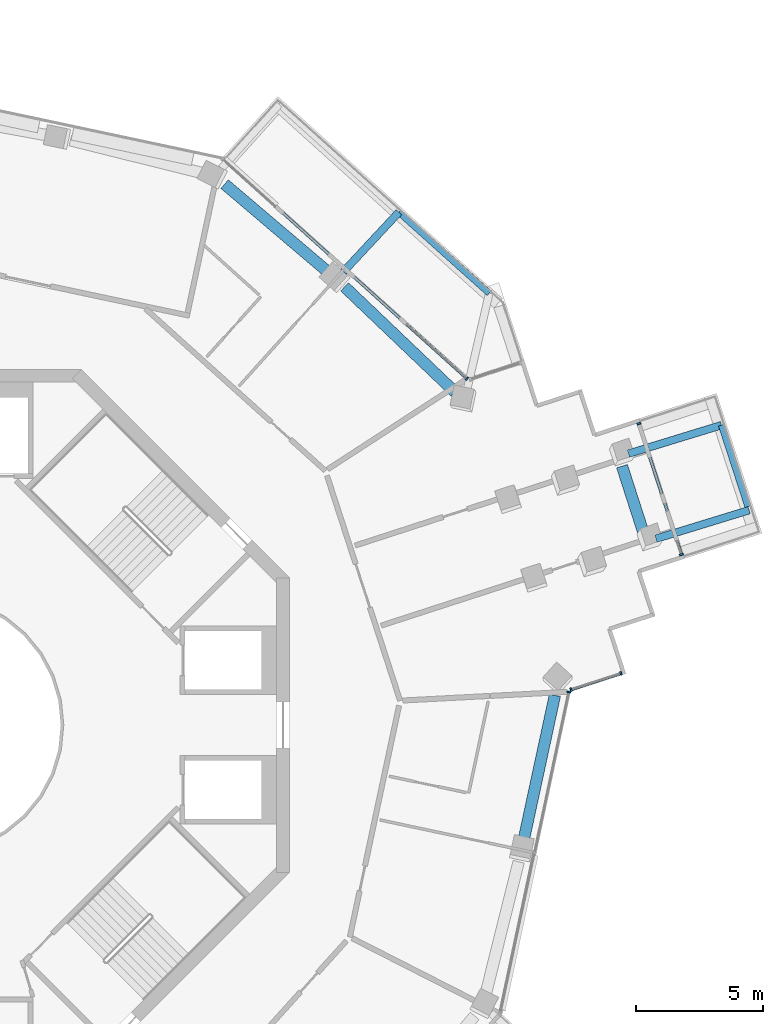
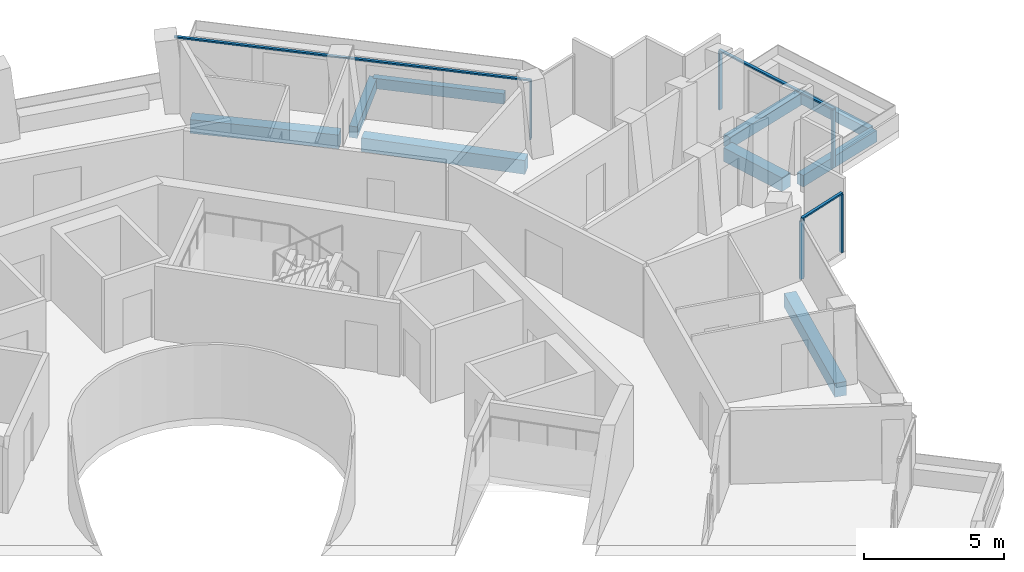
# One storey, part 8 of 22: 9 beams, 9 members, 4 elements without a shape of their own.
"""IFC4 building model written with IfcOpenShell, lengths in metres."""

from ifc_helpers import new_model, si_unit, direction, frame, origin, origin_2d, place, context, subcontext, project, spatial, rectangle, extrude, material, layer, layer_set, material_profile, profile_set, type_object, element, aggregate, save


model = new_model("IFC4")

# Units and contexts
model_context = context("Model", 3, precision=1e-05, world=origin(), true_north=direction((0.0, 1.0)))
body_context = subcontext(model_context, "Body", "Model", "MODEL_VIEW")
ifc_project = project(units=[si_unit("LENGTHUNIT", "METRE"), si_unit("AREAUNIT", "SQUARE_METRE"), si_unit("VOLUMEUNIT", "CUBIC_METRE"), si_unit("PLANEANGLEUNIT", "RADIAN"), si_unit("MASSUNIT", "GRAM", prefix="KILO")], contexts=[model_context])

# Site, building, storey
site_placement = place(None, origin())
site = spatial("IfcSite", under=ifc_project, at=site_placement, CompositionType="ELEMENT")
building_placement = place(site_placement, origin())
building = spatial("IfcBuilding", under=site, at=building_placement, Name="Verdalira Terraces Hotel", CompositionType="ELEMENT")
storey_placement = place(building_placement, frame((0.0, 0.0, 230.5)))
storey = spatial("IfcBuildingStorey", under=building, at=storey_placement, Name="L56", CompositionType="ELEMENT", Elevation=230.5)

# Beams
ifc_material_1 = material(Name="Concrete C40", Category="concrete")
ifc_material_profile_1 = material_profile(ifc_material_1, rectangle(XDim=0.300049, YDim=0.5, at=origin_2d()), Name="RC 300X500")
ifc_profile_set_1 = profile_set([ifc_material_profile_1], Name="Concrete C40")
beam_type_1 = type_object("IfcBeamType", Name="Balcony cantilever beam RC 300X500 C40", PredefinedType="BEAM", material=ifc_profile_set_1)
beam_1_placement = place(storey_placement, frame((28.432617, 7.337158, -0.560059), z_axis=(0.95609889, 0.293044215, 0.0), x_axis=(-0.293044215, 0.95609889, 0.0)))
element("IfcBeam", 1, at=beam_1_placement, inside=storey, type_object=beam_type_1, Name="Balcony cantilever beam R33-1", PredefinedType="BEAM", context=body_context, shape_type="SweptSolid", body=[
    extrude(rectangle(XDim=0.300049, YDim=0.5, at=origin_2d()), origin(), (0.0, 0.0, 1.0), 3.838135),
])
beam_2_placement = place(storey_placement, frame((27.349854, 10.686279, -0.560059), z_axis=(0.9560911, 0.29306963, 0.0), x_axis=(-0.29306963, 0.9560911, 0.0)))
element("IfcBeam", 2, at=beam_2_placement, inside=storey, type_object=beam_type_1, Name="Balcony cantilever beam R33-2", PredefinedType="BEAM", context=body_context, shape_type="SweptSolid", body=[
    extrude(rectangle(XDim=0.300049, YDim=0.5, at=origin_2d()), origin(), (0.0, 0.0, 1.0), 3.832764),
])
beam_3_placement = place(storey_placement, frame((16.128906, 17.850586, -0.560059), z_axis=(0.681488967, 0.731828387, 0.0), x_axis=(-0.731828387, 0.681488967, 0.0)))
element("IfcBeam", 3, at=beam_3_placement, inside=storey, type_object=beam_type_1, Name="Balcony cantilever beam R38-2", PredefinedType="BEAM", context=body_context, shape_type="SweptSolid", body=[
    extrude(rectangle(XDim=0.300049, YDim=0.5, at=origin_2d()), origin(), (0.0, 0.0, 1.0), 3.200928),
])
ifc_material_2 = material(Name="Concrete C40", Category="concrete")
ifc_material_profile_2 = material_profile(ifc_material_2, rectangle(XDim=0.25, YDim=0.449951, at=origin_2d()), Name="RC 250X450")
ifc_profile_set_2 = profile_set([ifc_material_profile_2], Name="Concrete C40")
beam_type_2 = type_object("IfcBeamType", Name="Balcony edge beam RC 250X450 C40", PredefinedType="BEAM", material=ifc_profile_set_2)
beam_4_placement = place(storey_placement, frame((32.055908, 8.604492, -0.534912), z_axis=(-0.309046758, 0.951046845, 0.0), x_axis=(-0.951046845, -0.309046758, 0.0)))
element("IfcBeam", 4, at=beam_4_placement, inside=storey, type_object=beam_type_2, Name="Balcony edge beam R33-1", PredefinedType="BEAM", context=body_context, shape_type="SweptSolid", body=[
    extrude(rectangle(XDim=0.25, YDim=0.449951, at=origin_2d()), origin(), (0.0, 0.0, 1.0), 3.370117),
])
beam_5_placement = place(storey_placement, frame((21.869385, 17.005127, -0.534912), z_axis=(-0.744872368, 0.667206981, 0.0), x_axis=(-0.667206981, -0.744872368, 0.0)))
element("IfcBeam", 5, at=beam_5_placement, inside=storey, type_object=beam_type_2, Name="Balcony edge beam R38-1", PredefinedType="BEAM", context=body_context, shape_type="SweptSolid", body=[
    extrude(rectangle(XDim=0.25, YDim=0.449951, at=origin_2d()), origin(), (0.0, 0.0, 1.0), 4.778076),
])

# Curtain wall, member
ifc_material_3 = material(Name="Clear glass", Category="glass")
ifc_layer_1 = layer(ifc_material_3, 0.14990234375)
ifc_layer_set_1 = layer_set([ifc_layer_1], Name="CW1 curtain wall")
curtain_wall_type_1 = type_object("IfcCurtainWallType", Name="CW1 curtain wall", PredefinedType="NOTDEFINED", material=ifc_layer_set_1)
curtain_wall_1_placement = place(storey_placement, origin())
curtain_wall_1 = element("IfcCurtainWall", 6, at=curtain_wall_1_placement, inside=storey, type_object=curtain_wall_type_1, Name="CW1 curtain wall L56 edge 27", PredefinedType="NOTDEFINED")
ifc_material_4 = material(Name="Terracotta frame", Category="masonry")
ifc_material_profile_3 = material_profile(ifc_material_4, rectangle(XDim=0.060059, YDim=0.149902, at=origin_2d()), Name="MU 60x150")
ifc_profile_set_3 = profile_set([ifc_material_profile_3], Name="Terracotta frame")
member_type_1 = type_object("IfcMemberType", Name="CW1 mullion 60x150", PredefinedType="MULLION", material=ifc_profile_set_3)
member_1_placement = place(storey_placement, frame((25.0, 1.300537, 0.0), z_axis=(0.0, 0.0, 1.0), x_axis=(0.207911691, 0.978147601, 0.0)))
member_1 = element("IfcMember", 7, at=member_1_placement, type_object=member_type_1, Name="CW1 mullion", PredefinedType="MULLION", context=body_context, shape_type="SweptSolid", body=[
    extrude(rectangle(XDim=0.060059, YDim=0.149902, at=origin_2d()), origin(), (0.0, 0.0, 1.0), 2.524902),
])
aggregate(curtain_wall_1, [member_1])

# Curtain wall, members
curtain_wall_2_placement = place(storey_placement, origin())
curtain_wall_2 = element("IfcCurtainWall", 8, at=curtain_wall_2_placement, inside=storey, type_object=curtain_wall_type_1, Name="CW1 curtain wall L56 edge 39", PredefinedType="NOTDEFINED")
member_2_placement = place(storey_placement, frame((20.98999, 13.642334, 0.0), z_axis=(0.0, 0.0, 1.0), x_axis=(-0.743144825, 0.669130606, 0.0)))
member_2 = element("IfcMember", 9, at=member_2_placement, type_object=member_type_1, Name="CW1 mullion", PredefinedType="MULLION", context=body_context, shape_type="SweptSolid", body=[
    extrude(rectangle(XDim=0.060059, YDim=0.149902, at=origin_2d()), origin(), (0.0, 0.0, 1.0), 2.524902),
])
ifc_material_5 = material(Name="Terracotta frame", Category="masonry")
ifc_material_profile_4 = material_profile(ifc_material_5, rectangle(XDim=0.110107, YDim=0.064941, at=origin_2d()), Name="TR 65x110")
ifc_profile_set_4 = profile_set([ifc_material_profile_4], Name="Terracotta frame")
member_type_2 = type_object("IfcMemberType", Name="CW1 transom 65x110", PredefinedType="USERDEFINED", material=ifc_profile_set_4)
member_3_placement = place(storey_placement, frame((21.012207, 13.622314, 2.557617), z_axis=(-0.743143784, 0.669131763, 0.0), x_axis=(-0.669131763, -0.743143784, 0.0)))
member_3 = element("IfcMember", 10, at=member_3_placement, type_object=member_type_2, Name="CW1 transom", ObjectType="TRANSOM", PredefinedType="USERDEFINED", context=body_context, shape_type="SweptSolid", body=[
    extrude(rectangle(XDim=0.110107, YDim=0.064941, at=origin_2d()), origin(), (0.0, 0.0, 1.0), 13.0),
])
aggregate(curtain_wall_2, [member_2, member_3])

ifc_material_6 = material(Name="Clear glass", Category="glass")
ifc_layer_2 = layer(ifc_material_6, 0.14990234375)
ifc_layer_set_2 = layer_set([ifc_layer_2], Name="CW2 curtain wall")
curtain_wall_type_2 = type_object("IfcCurtainWallType", Name="CW2 curtain wall", PredefinedType="NOTDEFINED", material=ifc_layer_set_2)
curtain_wall_3_placement = place(storey_placement, origin())
curtain_wall_3 = element("IfcCurtainWall", 11, at=curtain_wall_3_placement, inside=storey, type_object=curtain_wall_type_2, Name="CW2 curtain wall L56 edge 28", PredefinedType="NOTDEFINED")
ifc_material_7 = material(Name="Terracotta frame", Category="masonry")
ifc_material_profile_5 = material_profile(ifc_material_7, rectangle(XDim=0.070068, YDim=0.149902, at=origin_2d()), Name="MU 70x150")
ifc_profile_set_5 = profile_set([ifc_material_profile_5], Name="Terracotta frame")
member_type_3 = type_object("IfcMemberType", Name="CW2 mullion 70x150", PredefinedType="MULLION", material=ifc_profile_set_5)
member_4_placement = place(storey_placement, frame((25.089844, 1.396484, 0.0), z_axis=(0.0, 0.0, 1.0), x_axis=(0.951056516, 0.309016994, 0.0)))
member_4 = element("IfcMember", 12, at=member_4_placement, type_object=member_type_3, Name="CW2 mullion", PredefinedType="MULLION", context=body_context, shape_type="SweptSolid", body=[
    extrude(rectangle(XDim=0.070068, YDim=0.149902, at=origin_2d()), origin(), (0.0, 0.0, 1.0), 2.524902),
])
member_5_placement = place(storey_placement, frame((27.056152, 2.0354, 0.0), z_axis=(0.0, 0.0, 1.0), x_axis=(0.951056516, 0.309016994, 0.0)))
member_5 = element("IfcMember", 13, at=member_5_placement, type_object=member_type_3, Name="CW2 mullion", PredefinedType="MULLION", context=body_context, shape_type="SweptSolid", body=[
    extrude(rectangle(XDim=0.070068, YDim=0.149902, at=origin_2d()), origin(), (0.0, 0.0, 1.0), 2.524902),
])
ifc_material_8 = material(Name="Terracotta frame", Category="masonry")
ifc_material_profile_6 = material_profile(ifc_material_8, rectangle(XDim=0.11499, YDim=0.064941, at=origin_2d()), Name="TR 65x115")
ifc_profile_set_6 = profile_set([ifc_material_profile_6], Name="Terracotta frame")
member_type_4 = type_object("IfcMemberType", Name="CW2 transom 65x115", PredefinedType="USERDEFINED", material=ifc_profile_set_6)
member_6_placement = place(storey_placement, frame((25.056396, 1.385742, 2.557617), z_axis=(0.951076866, 0.308954356, 0.0), x_axis=(-0.308954356, 0.951076866, 0.0)))
member_6 = element("IfcMember", 14, at=member_6_placement, type_object=member_type_4, Name="CW2 transom", ObjectType="TRANSOM", PredefinedType="USERDEFINED", context=body_context, shape_type="SweptSolid", body=[
    extrude(rectangle(XDim=0.11499, YDim=0.064941, at=origin_2d()), origin(), (0.0, 0.0, 1.0), 2.137451),
])
aggregate(curtain_wall_3, [member_4, member_5, member_6])

ifc_material_9 = material(Name="Clear glass", Category="glass")
ifc_layer_3 = layer(ifc_material_9, 0.14990234375)
ifc_layer_set_3 = layer_set([ifc_layer_3], Name="CW3 curtain wall")
curtain_wall_type_3 = type_object("IfcCurtainWallType", Name="CW3 curtain wall", PredefinedType="NOTDEFINED", material=ifc_layer_set_3)
curtain_wall_4_placement = place(storey_placement, origin())
curtain_wall_4 = element("IfcCurtainWall", 15, at=curtain_wall_4_placement, inside=storey, type_object=curtain_wall_type_3, Name="CW3 curtain wall L56 edge 33", PredefinedType="NOTDEFINED")
ifc_material_10 = material(Name="Terracotta frame", Category="masonry")
ifc_material_profile_7 = material_profile(ifc_material_10, rectangle(XDim=0.080078, YDim=0.149902, at=origin_2d()), Name="MU 80x150")
ifc_profile_set_7 = profile_set([ifc_material_profile_7], Name="Terracotta frame")
member_type_5 = type_object("IfcMemberType", Name="CW3 mullion 80x150", PredefinedType="MULLION", material=ifc_profile_set_7)
member_7_placement = place(storey_placement, frame((29.436523, 6.715088, 0.0), z_axis=(0.0, 0.0, 1.0), x_axis=(-0.309016994, 0.951056516, 0.0)))
member_7 = element("IfcMember", 16, at=member_7_placement, type_object=member_type_5, Name="CW3 mullion", PredefinedType="MULLION", context=body_context, shape_type="SweptSolid", body=[
    extrude(rectangle(XDim=0.080078, YDim=0.149902, at=origin_2d()), origin(), (0.0, 0.0, 1.0), 2.524902),
])
member_8_placement = place(storey_placement, frame((27.761719, 11.869873, 0.0), z_axis=(0.0, 0.0, 1.0), x_axis=(-0.309016994, 0.951056516, 0.0)))
member_8 = element("IfcMember", 17, at=member_8_placement, type_object=member_type_5, Name="CW3 mullion", PredefinedType="MULLION", context=body_context, shape_type="SweptSolid", body=[
    extrude(rectangle(XDim=0.080078, YDim=0.149902, at=origin_2d()), origin(), (0.0, 0.0, 1.0), 2.524902),
])
ifc_material_11 = material(Name="Terracotta frame", Category="masonry")
ifc_material_profile_8 = material_profile(ifc_material_11, rectangle(XDim=0.120117, YDim=0.064941, at=origin_2d()), Name="TR 65x120")
ifc_profile_set_8 = profile_set([ifc_material_profile_8], Name="Terracotta frame")
member_type_6 = type_object("IfcMemberType", Name="CW3 transom 65x120", PredefinedType="USERDEFINED", material=ifc_profile_set_8)
member_9_placement = place(storey_placement, frame((29.448975, 6.677002, 2.557617), z_axis=(-0.309040904, 0.951048747, 0.0), x_axis=(-0.951048747, -0.309040904, 0.0)))
member_9 = element("IfcMember", 18, at=member_9_placement, type_object=member_type_6, Name="CW3 transom", ObjectType="TRANSOM", PredefinedType="USERDEFINED", context=body_context, shape_type="SweptSolid", body=[
    extrude(rectangle(XDim=0.120117, YDim=0.064941, at=origin_2d()), origin(), (0.0, 0.0, 1.0), 5.5),
])
aggregate(curtain_wall_4, [member_7, member_8, member_9])

# Beams
ifc_material_12 = material(Name="Concrete C40", Category="concrete")
ifc_material_profile_9 = material_profile(ifc_material_12, rectangle(XDim=0.449951, YDim=0.600098, at=origin_2d()), Name="RC 450X600")
ifc_profile_set_9 = profile_set([ifc_material_profile_9], Name="Concrete C40")
beam_type_3 = type_object("IfcBeamType", Name="Spandrel beam RC 450X600 C40", PredefinedType="SPANDREL", material=ifc_profile_set_9)
beam_6_placement = place(storey_placement, frame((23.211914, -4.589844, -0.610107), z_axis=(0.21077111, 0.977535441, 0.0), x_axis=(-0.977535441, 0.21077111, 0.0)))
element("IfcBeam", 19, at=beam_6_placement, inside=storey, type_object=beam_type_3, Name="Spandrel beam B16", PredefinedType="SPANDREL", context=body_context, shape_type="SweptSolid", body=[
    extrude(rectangle(XDim=0.449951, YDim=0.600098, at=origin_2d()), origin(), (0.0, 0.0, 1.0), 5.892334),
])
beam_7_placement = place(storey_placement, frame((27.958008, 7.519287, -0.610107), z_axis=(-0.306253842, 0.951949885, 0.0), x_axis=(-0.951949885, -0.306253842, 0.0)))
element("IfcBeam", 20, at=beam_7_placement, inside=storey, type_object=beam_type_3, Name="Spandrel beam B17", PredefinedType="SPANDREL", context=body_context, shape_type="SweptSolid", body=[
    extrude(rectangle(XDim=0.449951, YDim=0.600098, at=origin_2d()), origin(), (0.0, 0.0, 1.0), 2.810059),
])
beam_8_placement = place(storey_placement, frame((20.515381, 13.114258, -0.610107), z_axis=(-0.723554138, 0.690267636, 0.0), x_axis=(-0.690267636, -0.723554138, 0.0)))
element("IfcBeam", 21, at=beam_8_placement, inside=storey, type_object=beam_type_3, Name="Spandrel beam B18", PredefinedType="SPANDREL", context=body_context, shape_type="SweptSolid", body=[
    extrude(rectangle(XDim=0.449951, YDim=0.600098, at=origin_2d()), origin(), (0.0, 0.0, 1.0), 5.999756),
])
beam_9_placement = place(storey_placement, frame((15.562988, 17.80542, -0.610107), z_axis=(-0.762162612, 0.647385629, 0.0), x_axis=(-0.647385629, -0.762162612, 0.0)))
element("IfcBeam", 22, at=beam_9_placement, inside=storey, type_object=beam_type_3, Name="Spandrel beam B19", PredefinedType="SPANDREL", context=body_context, shape_type="SweptSolid", body=[
    extrude(rectangle(XDim=0.449951, YDim=0.600098, at=origin_2d()), origin(), (0.0, 0.0, 1.0), 5.394287),
])

save(model, "model.ifc")
